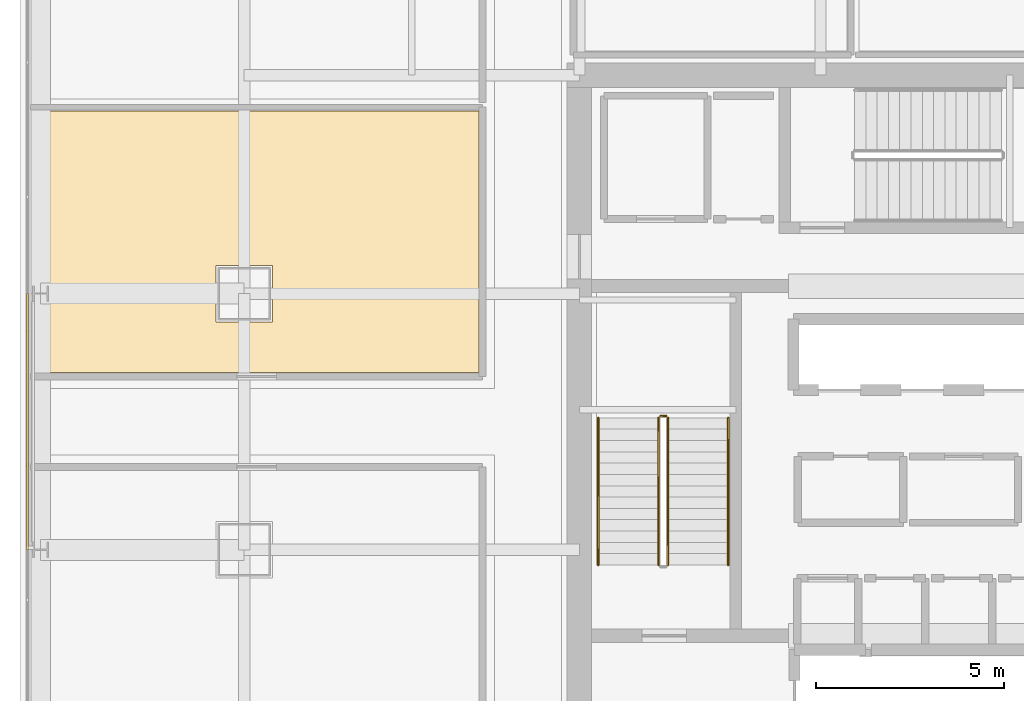
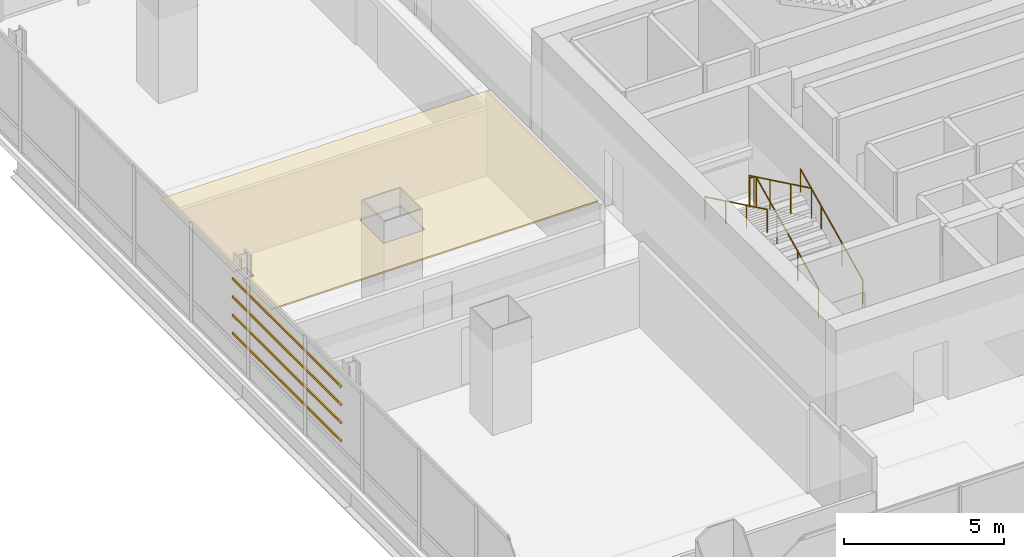
# One storey, part 35 of 38: 5 railings, 4 shading devices, 1 covering.
"""IFC4 building model written with IfcOpenShell, lengths in metres."""

from ifc_helpers import new_model, si_unit, direction, frame, origin, origin_2d, place, context, subcontext, project, spatial, polyline, hollow_rectangle, circle, outline, extrude, material, layer, layer_set, material_profile, profile_set, type_object, element, save


model = new_model("IFC4")

# Units and contexts
model_context = context("Model", 3, precision=1e-05, world=origin(), true_north=direction((0.0, 1.0)))
body_context = subcontext(model_context, "Body", "Model", "MODEL_VIEW")
ifc_project = project(units=[si_unit("LENGTHUNIT", "METRE"), si_unit("AREAUNIT", "SQUARE_METRE"), si_unit("VOLUMEUNIT", "CUBIC_METRE"), si_unit("PLANEANGLEUNIT", "RADIAN"), si_unit("MASSUNIT", "GRAM", prefix="KILO")], contexts=[model_context])

# Site, building, storey
site_placement = place(None, origin())
site = spatial("IfcSite", under=ifc_project, at=site_placement, CompositionType="ELEMENT")
building_placement = place(site_placement, origin())
building = spatial("IfcBuilding", under=site, at=building_placement, Name="Punatoya Terracotta Tower", CompositionType="ELEMENT")
storey_placement = place(building_placement, frame((0.0, 0.0, 147.89990234375)))
storey = spatial("IfcBuildingStorey", under=building, at=storey_placement, Name="L34", CompositionType="ELEMENT", Elevation=147.89990234375)

# Covering
ifc_material_1 = material(Name="Acoustic Mineral Fibre Ceiling")
ifc_layer = layer(ifc_material_1, 0.06005859375)
ifc_layer_set = layer_set([ifc_layer], Name="Acoustic Mineral Fibre Ceiling")
covering_type = type_object("IfcCoveringType", Name="COV-CEIL-60", PredefinedType="CEILING", material=ifc_layer_set)
covering_placement = place(storey_placement, frame((0.0, 0.0, 3.22021484375)))
element("IfcCovering", 1, at=covering_placement, inside=storey, type_object=covering_type, Name="L34 Open-Plan Environmental Research Laboratory Acoustic Ceiling", PredefinedType="CEILING", context=body_context, shape_type="SweptSolid", body=[
    extrude(outline(polyline([(-12.8701171875, 1.300048828125), (-12.8701171875, 8.2490234375), (-24.669921875, 8.2490234375), (-24.669921875, 3.66259765625), (-24.24560546875, 3.66259765625), (-24.24560546875, 3.137451171875), (-24.669921875, 3.137451171875), (-24.669921875, 1.300048828125), (-12.8701171875, 1.300048828125)]), holes=[polyline([(-18.35009765625, 4.14990234375), (-18.35009765625, 2.64990234375), (-19.85009765625, 2.64990234375), (-19.85009765625, 4.14990234375), (-18.35009765625, 4.14990234375)])]), origin(), (0.0, 0.0, 1.0), 0.059814453125),
])

# Railings
ifc_material_2 = material(Name="Steel S355", Category="steel")
railing_type_1 = type_object("IfcRailingType", Name="RLG-GRD-1150", PredefinedType="GUARDRAIL", material=ifc_material_2)
railing_1_placement = place(storey_placement, frame((-7.85009765625, -3.800048828125, 0.144775390625)))
element("IfcRailing", 2, at=railing_1_placement, inside=storey, type_object=railing_type_1, Name="L34 ST-1 stair guard 1", PredefinedType="GUARDRAIL", context=body_context, shape_type="SweptSolid", body=[
    extrude(circle(Radius=0.02392578125, at=origin_2d()), frame((0.0, 0.0, 1.1259765625), z_axis=(0.0, 0.900773802044, 0.434288564841), x_axis=(-1.0, 0.0, 0.0)), (0.0, 0.0, 1.0), 4.329833984375),
    extrude(circle(Radius=0.02099609375, at=origin_2d()), origin(), (0.0, 0.0, 1.0), 1.101806640625),
    extrude(circle(Radius=0.02099609375, at=origin_2d()), frame((0.0, 1.300048828125, 0.626708984375)), (0.0, 0.0, 1.0), 1.101806640625),
    extrude(circle(Radius=0.02099609375, at=origin_2d()), frame((0.0, 2.60009765625, 1.253662109375)), (0.0, 0.0, 1.0), 1.101806640625),
    extrude(circle(Radius=0.02099609375, at=origin_2d()), frame((0.0, 3.900146484375, 1.88037109375)), (0.0, 0.0, 1.0), 1.101806640625),
])
railing_2_placement = place(storey_placement, frame((-7.89990234375, 0.14990234375, 2.025146484375)))
element("IfcRailing", 3, at=railing_2_placement, inside=storey, type_object=railing_type_1, Name="L34 ST-1 stair guard 2", PredefinedType="GUARDRAIL", context=body_context, shape_type="SweptSolid", body=[
    extrude(circle(Radius=0.02392578125, at=origin_2d()), frame((0.0, 0.0, 1.1259765625), z_axis=(-1.0, 0.0, 0.0), x_axis=(0.0, -1.0, 0.0)), (0.0, 0.0, 1.0), 0.150146484375),
    extrude(circle(Radius=0.02099609375, at=origin_2d()), origin(), (0.0, 0.0, 1.0), 1.101806640625),
    extrude(circle(Radius=0.02099609375, at=origin_2d()), frame((-0.150146484375, 0.0, 0.0)), (0.0, 0.0, 1.0), 1.101806640625),
])
railing_3_placement = place(storey_placement, frame((-8.10009765625, 0.10009765625, 2.169677734375)))
element("IfcRailing", 4, at=railing_3_placement, inside=storey, type_object=railing_type_1, Name="L34 ST-1 stair guard 3", PredefinedType="GUARDRAIL", context=body_context, shape_type="SweptSolid", body=[
    extrude(circle(Radius=0.02392578125, at=origin_2d()), frame((0.0, 0.0, 1.1259765625), z_axis=(0.0, -0.900773802044, 0.434288564841), x_axis=(1.0, 0.0, 0.0)), (0.0, 0.0, 1.0), 4.329833984375),
    extrude(circle(Radius=0.02099609375, at=origin_2d()), origin(), (0.0, 0.0, 1.0), 1.101806640625),
    extrude(circle(Radius=0.02099609375, at=origin_2d()), frame((0.0, -1.300048828125, 0.626708984375)), (0.0, 0.0, 1.0), 1.101806640625),
    extrude(circle(Radius=0.02099609375, at=origin_2d()), frame((0.0, -2.60009765625, 1.253662109375)), (0.0, 0.0, 1.0), 1.101806640625),
    extrude(circle(Radius=0.02099609375, at=origin_2d()), frame((0.0, -3.900146484375, 1.88037109375)), (0.0, 0.0, 1.0), 1.101806640625),
])
railing_type_2 = type_object("IfcRailingType", Name="RLG-HND-900", PredefinedType="HANDRAIL", material=ifc_material_2)
railing_4_placement = place(storey_placement, frame((-6.25, -3.800048828125, 0.144775390625)))
element("IfcRailing", 5, at=railing_4_placement, inside=storey, type_object=railing_type_2, Name="L34 ST-1 stair handrail 1", PredefinedType="HANDRAIL", context=body_context, shape_type="SweptSolid", body=[
    extrude(circle(Radius=0.02392578125, at=origin_2d()), frame((0.0, 0.0, 0.8759765625), z_axis=(0.0, 0.900773802044, 0.434288564841), x_axis=(-1.0, 0.0, 0.0)), (0.0, 0.0, 1.0), 4.329833984375),
    extrude(circle(Radius=0.02099609375, at=origin_2d()), origin(), (0.0, 0.0, 1.0), 0.851806640625),
    extrude(circle(Radius=0.02099609375, at=origin_2d()), frame((0.0, 1.300048828125, 0.626708984375)), (0.0, 0.0, 1.0), 0.851806640625),
    extrude(circle(Radius=0.02099609375, at=origin_2d()), frame((0.0, 2.60009765625, 1.253662109375)), (0.0, 0.0, 1.0), 0.851806640625),
    extrude(circle(Radius=0.02099609375, at=origin_2d()), frame((0.0, 3.900146484375, 1.88037109375)), (0.0, 0.0, 1.0), 0.851806640625),
])
railing_5_placement = place(storey_placement, frame((-9.699951171875, 0.10009765625, 2.169677734375)))
element("IfcRailing", 6, at=railing_5_placement, inside=storey, type_object=railing_type_2, Name="L34 ST-1 stair handrail 2", PredefinedType="HANDRAIL", context=body_context, shape_type="SweptSolid", body=[
    extrude(circle(Radius=0.02392578125, at=origin_2d()), frame((0.0, 0.0, 0.8759765625), z_axis=(0.0, -0.900773802044, 0.434288564841), x_axis=(1.0, 0.0, 0.0)), (0.0, 0.0, 1.0), 4.329833984375),
    extrude(circle(Radius=0.02099609375, at=origin_2d()), origin(), (0.0, 0.0, 1.0), 0.851806640625),
    extrude(circle(Radius=0.02099609375, at=origin_2d()), frame((0.0, -1.300048828125, 0.626708984375)), (0.0, 0.0, 1.0), 0.851806640625),
    extrude(circle(Radius=0.02099609375, at=origin_2d()), frame((0.0, -2.60009765625, 1.253662109375)), (0.0, 0.0, 1.0), 0.851806640625),
    extrude(circle(Radius=0.02099609375, at=origin_2d()), frame((0.0, -3.900146484375, 1.88037109375)), (0.0, 0.0, 1.0), 0.851806640625),
])

# Shading devices
ifc_material_3 = material(Name="Architectural Fired Terracotta", Category="masonry")
ifc_material_profile = material_profile(ifc_material_3, hollow_rectangle(XDim=0.06005859375, YDim=0.090087890625, WallThickness=0.013916015625, at=origin_2d()))
ifc_profile_set = profile_set([ifc_material_profile], Name="Architectural Fired Terracotta")
shading_device_type = type_object("IfcShadingDeviceType", Name="SHD-JALI-90", PredefinedType="JALOUSIE", material=ifc_profile_set)
for number, where, z_axis, x_axis, name in (
    (7, (-24.8525390625, -3.39990234375, 1.150146484375), (0.0, 1.0, 0.0), (-1.0, 0.0, 0.0), "L34 Fired Terracotta Baguette Louvre BAG-L34-W-01"),
    (8, (-24.8525390625, -3.39990234375, 1.843505859375), (0.0, 1.0, 0.0), (-1.0, 0.0, 0.0), "L34 Fired Terracotta Baguette Louvre BAG-L34-W-02"),
    (9, (-24.8525390625, -3.39990234375, 2.536865234375), (0.0, 1.0, 0.0), (-1.0, 0.0, 0.0), "L34 Fired Terracotta Baguette Louvre BAG-L34-W-03"),
    (10, (-24.8525390625, -3.39990234375, 3.22998046875), (0.0, 1.0, 0.0), (-1.0, 0.0, 0.0), "L34 Fired Terracotta Baguette Louvre BAG-L34-W-04"),
):
    element("IfcShadingDevice", number, at=place(storey_placement, frame(where, z_axis=z_axis, x_axis=x_axis)), inside=storey, type_object=shading_device_type, Name=name, PredefinedType="JALOUSIE", context=body_context, shape_type="SweptSolid", body=[
        extrude(hollow_rectangle(XDim=0.06005859375, YDim=0.090087890625, WallThickness=0.013916015625, at=origin_2d()), origin(), (0.0, 0.0, 1.0), 6.7998046875),
    ])

save(model, "model.ifc")
